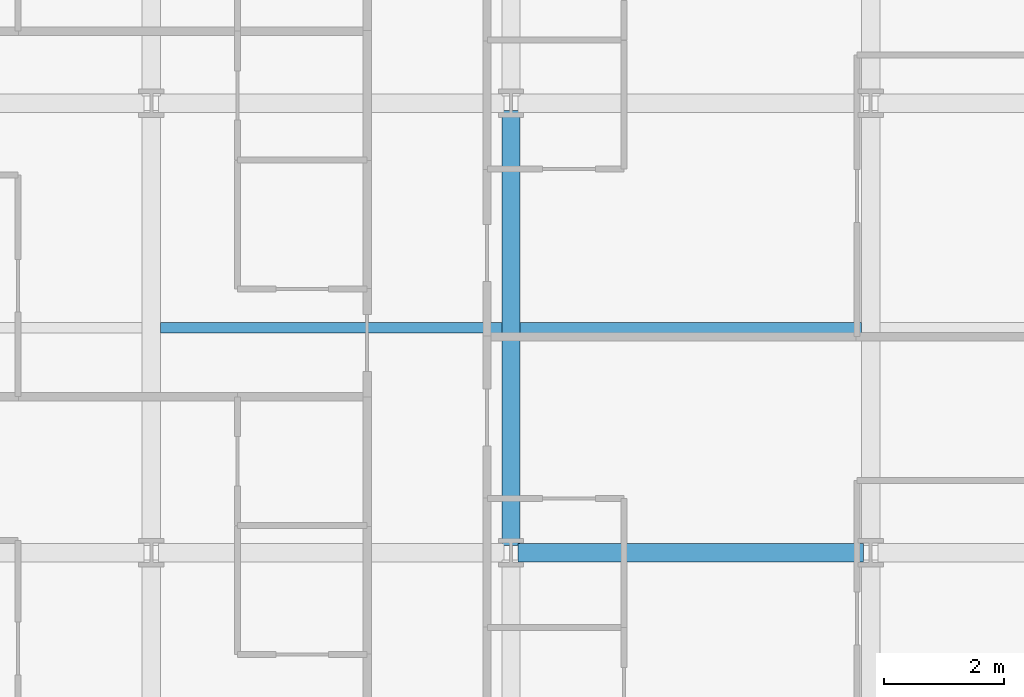
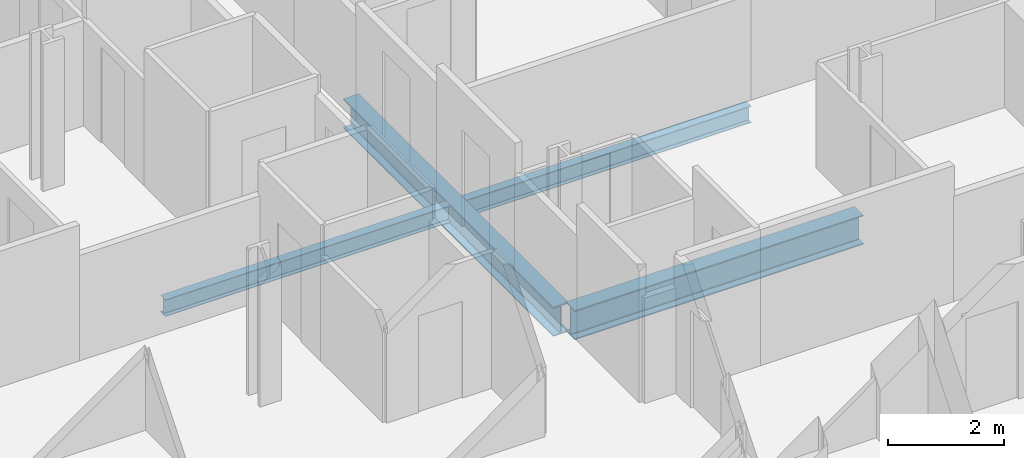
# One storey, part 6 of 40: 4 beams.
"""IFC4 building model written with IfcOpenShell, lengths in metres."""

from ifc_helpers import new_model, si_unit, direction, frame, origin, origin_2d, place, context, subcontext, project, spatial, i_section, extrude, material, material_profile, profile_set, type_object, element, save


model = new_model("IFC4")

# Units and contexts
model_context = context("Model", 3, precision=1e-05, world=origin(), true_north=direction((0.0, 1.0)))
body_context = subcontext(model_context, "Body", "Model", "MODEL_VIEW")
ifc_project = project(units=[si_unit("LENGTHUNIT", "METRE"), si_unit("AREAUNIT", "SQUARE_METRE"), si_unit("VOLUMEUNIT", "CUBIC_METRE"), si_unit("PLANEANGLEUNIT", "RADIAN"), si_unit("MASSUNIT", "GRAM", prefix="KILO")], contexts=[model_context])

# Site, building, storey
site_placement = place(None, origin())
site = spatial("IfcSite", under=ifc_project, at=site_placement, CompositionType="ELEMENT")
building_placement = place(site_placement, origin())
building = spatial("IfcBuilding", under=site, at=building_placement, Name="Brevholm Reach", CompositionType="ELEMENT")
storey_placement = place(building_placement, frame((0.0, 0.0, 37.300048828125)))
storey = spatial("IfcBuildingStorey", under=building, at=storey_placement, Name="L09", CompositionType="ELEMENT", Elevation=37.300048828125)

# Beams
ifc_material_1 = material(Name="Structural Steel S355J2", Category="steel")
ifc_material_profile_1 = material_profile(ifc_material_1, i_section(OverallWidth=0.17138671875, OverallDepth=0.35498046875, WebThickness=0.00732421875, FlangeThickness=0.011474609375, FilletRadius=0.01025390625, at=origin_2d()), Name="UKB 356x171x51")
ifc_profile_set_1 = profile_set([ifc_material_profile_1], Name="Structural Steel S355J2")
beam_type_1 = type_object("IfcBeamType", Name="BM-B356", PredefinedType="BEAM", material=ifc_profile_set_1)
for number, where, z_axis, x_axis, name in (
    (1, (6.153564453125, 19.75, -0.407470703125), (1.0, 0.0, 0.0), (0.0, 1.0, 0.0), "L09 Composite Secondary Floor Beam"),
    (2, (12.153564453125, 19.75, -0.407470703125), (1.0, 0.0, 0.0), (0.0, 1.0, 0.0), "L09 Composite Secondary Floor Beam"),
):
    element("IfcBeam", number, at=place(storey_placement, frame(where, z_axis=z_axis, x_axis=x_axis)), inside=storey, type_object=beam_type_1, Name=name, PredefinedType="BEAM", context=body_context, shape_type="SweptSolid", body=[
        extrude(i_section(OverallWidth=0.17138671875, OverallDepth=0.35498046875, WebThickness=0.00732421875, FlangeThickness=0.011474609375, FilletRadius=0.01025390625, at=origin_2d()), origin(), (0.0, 0.0, 1.0), 5.69287109375),
    ])
ifc_material_2 = material(Name="Structural Steel S355J2", Category="steel")
ifc_material_profile_2 = material_profile(ifc_material_2, i_section(OverallWidth=0.30712890625, OverallDepth=0.6201171875, WebThickness=0.01416015625, FlangeThickness=0.023681640625, FilletRadius=0.0166015625, at=origin_2d()), Name="UKB 610x305x179")
ifc_profile_set_2 = profile_set([ifc_material_profile_2], Name="Structural Steel S355J2")
beam_type_2 = type_object("IfcBeamType", Name="BM-UKB610H", PredefinedType="USERDEFINED", material=ifc_profile_set_2)
beam_1_placement = place(storey_placement, frame((12.1201171875, 16.0, -0.5400390625), z_axis=(1.0, 0.0, 0.0), x_axis=(0.0, 1.0, 0.0)))
element("IfcBeam", 3, at=beam_1_placement, inside=storey, type_object=beam_type_2, Name="L09 G-06 Framing Beam", ObjectType="GIRDER", PredefinedType="USERDEFINED", context=body_context, shape_type="SweptSolid", body=[
    extrude(i_section(OverallWidth=0.30712890625, OverallDepth=0.6201171875, WebThickness=0.01416015625, FlangeThickness=0.023681640625, FilletRadius=0.0166015625, at=origin_2d()), origin(), (0.0, 0.0, 1.0), 5.759765625),
])
beam_2_placement = place(storey_placement, frame((12.0, 16.1201171875, -0.5400390625), z_axis=(0.0, 1.0, 0.0), x_axis=(-1.0, 0.0, 0.0)))
element("IfcBeam", 4, at=beam_2_placement, inside=storey, type_object=beam_type_2, Name="L09 G-06 Framing Beam", ObjectType="GIRDER", PredefinedType="USERDEFINED", context=body_context, shape_type="SweptSolid", body=[
    extrude(i_section(OverallWidth=0.30712890625, OverallDepth=0.6201171875, WebThickness=0.01416015625, FlangeThickness=0.023681640625, FilletRadius=0.0166015625, at=origin_2d()), origin(), (0.0, 0.0, 1.0), 7.259765625),
])

save(model, "model.ifc")
